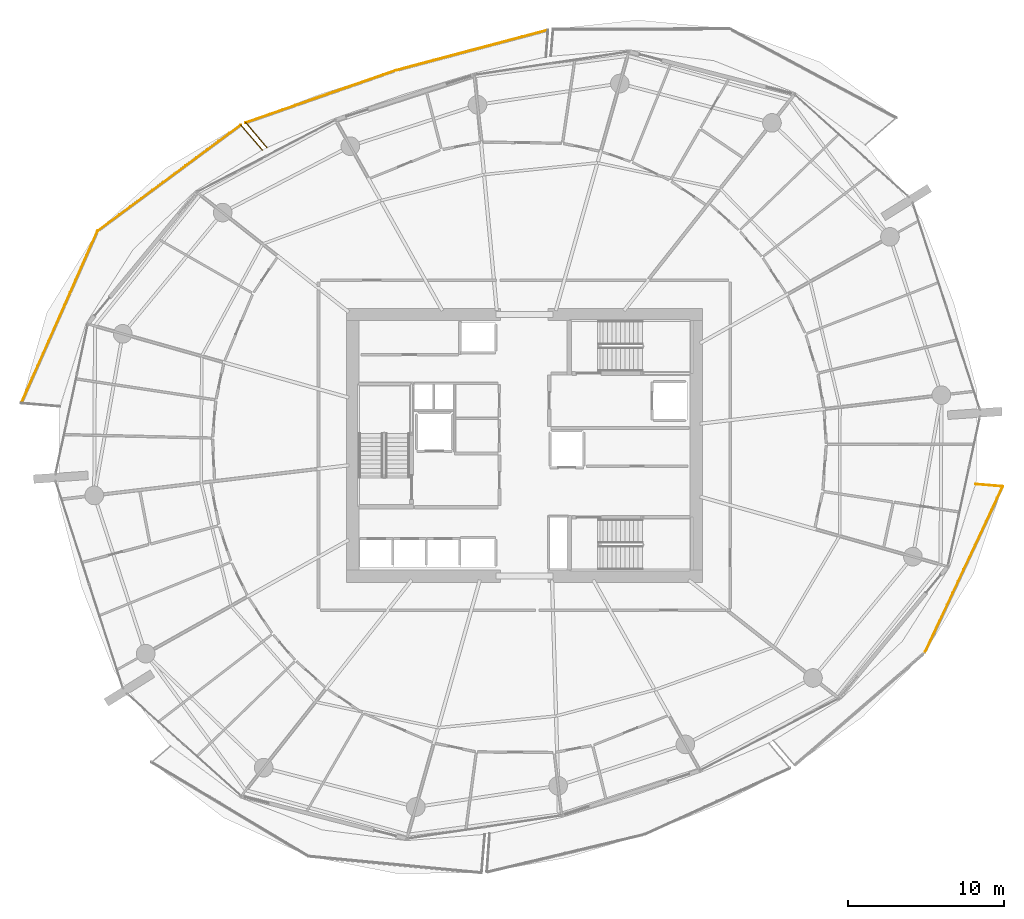
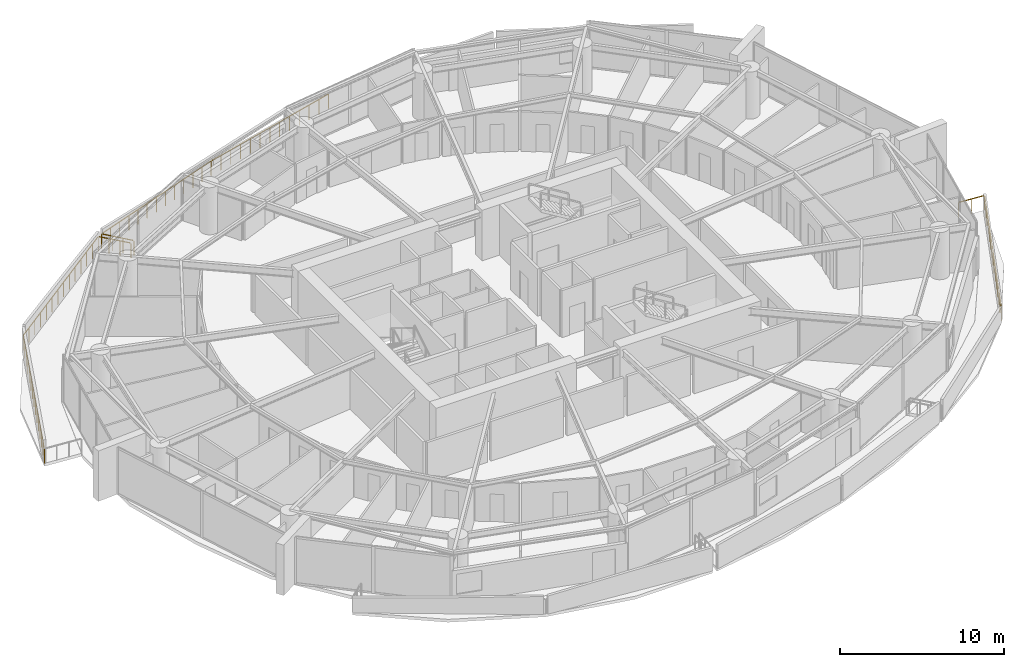
# One storey, part 21 of 23: 8 railings.
"""IFC4 building model written with IfcOpenShell, lengths in metres."""

from ifc_helpers import new_model, si_unit, direction, frame, origin, origin_2d, place, context, subcontext, project, spatial, rectangle, extrude, material, type_object, element, save


model = new_model("IFC4")

# Units and contexts
model_context = context("Model", 3, precision=1e-05, world=origin(), true_north=direction((0.0, 1.0)))
body_context = subcontext(model_context, "Body", "Model", "MODEL_VIEW")
ifc_project = project(units=[si_unit("LENGTHUNIT", "METRE"), si_unit("AREAUNIT", "SQUARE_METRE"), si_unit("VOLUMEUNIT", "CUBIC_METRE"), si_unit("PLANEANGLEUNIT", "RADIAN"), si_unit("MASSUNIT", "GRAM", prefix="KILO")], contexts=[model_context])

# Site, building, storey
site_placement = place(None, origin())
site = spatial("IfcSite", under=ifc_project, at=site_placement, CompositionType="ELEMENT")
building_placement = place(site_placement, origin())
building = spatial("IfcBuilding", under=site, at=building_placement, Name="Kazma Halo Residences", CompositionType="ELEMENT")
storey_placement = place(building_placement, frame((0.0, 0.0, 105.14990234375)))
storey = spatial("IfcBuildingStorey", under=building, at=storey_placement, Name="L26", CompositionType="ELEMENT", Elevation=105.14990234375)

# Railings
ifc_material = material(Name="Aluminium AW-6063 T6 Brushed Cap Rail", Category="aluminium")
railing_type = type_object("IfcRailingType", Name="RLG-BAL-CAP-1120", PredefinedType="BALUSTRADE", material=ifc_material)
railing_1_placement = place(storey_placement, frame((49.935302734375, 68.672119140625, 0.0)))
element("IfcRailing", 1, at=railing_1_placement, inside=storey, type_object=railing_type, Name="L26 NNW wave balcony guard 2", PredefinedType="BALUSTRADE", context=body_context, shape_type="SweptSolid", body=[
    extrude(rectangle(XDim=0.050048828125, YDim=0.050048828125, at=origin_2d()), frame((-0.041015625, -0.010986328125, 1.09521484375), z_axis=(-0.966558011146, -0.256448067042, 0.0), x_axis=(0.256448067042, -0.966558011146, 0.0)), (0.0, 0.0, 1.0), 10.012939453125),
    extrude(rectangle(XDim=0.0400390625, YDim=0.0400390625, at=origin_2d()), origin(), (0.0, 0.0, 1.0), 1.05810546875),
    extrude(rectangle(XDim=0.0400390625, YDim=0.0400390625, at=origin_2d()), frame((-0.8134765625, -0.2158203125, 0.0)), (0.0, 0.0, 1.0), 1.05810546875),
    extrude(rectangle(XDim=0.0400390625, YDim=0.0400390625, at=origin_2d()), frame((-1.626708984375, -0.431640625, 0.0)), (0.0, 0.0, 1.0), 1.05810546875),
    extrude(rectangle(XDim=0.0400390625, YDim=0.0400390625, at=origin_2d()), frame((-2.43994140625, -0.6474609375, 0.0)), (0.0, 0.0, 1.0), 1.05810546875),
    extrude(rectangle(XDim=0.0400390625, YDim=0.0400390625, at=origin_2d()), frame((-3.25341796875, -0.86328125, 0.0)), (0.0, 0.0, 1.0), 1.05810546875),
    extrude(rectangle(XDim=0.0400390625, YDim=0.0400390625, at=origin_2d()), frame((-4.06689453125, -1.0791015625, 0.0)), (0.0, 0.0, 1.0), 1.05810546875),
    extrude(rectangle(XDim=0.0400390625, YDim=0.0400390625, at=origin_2d()), frame((-4.880126953125, -1.294921875, 0.0)), (0.0, 0.0, 1.0), 1.05810546875),
    extrude(rectangle(XDim=0.0400390625, YDim=0.0400390625, at=origin_2d()), frame((-5.693359375, -1.510498046875, 0.0)), (0.0, 0.0, 1.0), 1.05810546875),
    extrude(rectangle(XDim=0.0400390625, YDim=0.0400390625, at=origin_2d()), frame((-6.5068359375, -1.726318359375, 0.0)), (0.0, 0.0, 1.0), 1.05810546875),
    extrude(rectangle(XDim=0.0400390625, YDim=0.0400390625, at=origin_2d()), frame((-7.3203125, -1.942138671875, 0.0)), (0.0, 0.0, 1.0), 1.05810546875),
    extrude(rectangle(XDim=0.0400390625, YDim=0.0400390625, at=origin_2d()), frame((-8.133544921875, -2.157958984375, 0.0)), (0.0, 0.0, 1.0), 1.05810546875),
    extrude(rectangle(XDim=0.0400390625, YDim=0.0400390625, at=origin_2d()), frame((-8.94677734375, -2.373779296875, 0.0)), (0.0, 0.0, 1.0), 1.05810546875),
    extrude(rectangle(XDim=0.0400390625, YDim=0.0400390625, at=origin_2d()), frame((-9.76025390625, -2.589599609375, 0.0)), (0.0, 0.0, 1.0), 1.05810546875),
])
railing_2_placement = place(storey_placement, frame((40.175048828125, 66.08251953125, 0.0)))
element("IfcRailing", 2, at=railing_2_placement, inside=storey, type_object=railing_type, Name="L26 NNW wave balcony guard 3", PredefinedType="BALUSTRADE", context=body_context, shape_type="SweptSolid", body=[
    extrude(rectangle(XDim=0.050048828125, YDim=0.050048828125, at=origin_2d()), frame((-0.040283203125, -0.013916015625, 1.09521484375), z_axis=(-0.944333970346, -0.328988377378, 0.0), x_axis=(0.328988377378, -0.944333970346, 0.0)), (0.0, 0.0, 1.0), 10.13720703125),
    extrude(rectangle(XDim=0.0400390625, YDim=0.0400390625, at=origin_2d()), origin(), (0.0, 0.0, 1.0), 1.05810546875),
    extrude(rectangle(XDim=0.0400390625, YDim=0.0400390625, at=origin_2d()), frame((-0.804443359375, -0.2802734375, 0.0)), (0.0, 0.0, 1.0), 1.05810546875),
    extrude(rectangle(XDim=0.0400390625, YDim=0.0400390625, at=origin_2d()), frame((-1.60888671875, -0.560546875, 0.0)), (0.0, 0.0, 1.0), 1.05810546875),
    extrude(rectangle(XDim=0.0400390625, YDim=0.0400390625, at=origin_2d()), frame((-2.413330078125, -0.8408203125, 0.0)), (0.0, 0.0, 1.0), 1.05810546875),
    extrude(rectangle(XDim=0.0400390625, YDim=0.0400390625, at=origin_2d()), frame((-3.2177734375, -1.12109375, 0.0)), (0.0, 0.0, 1.0), 1.05810546875),
    extrude(rectangle(XDim=0.0400390625, YDim=0.0400390625, at=origin_2d()), frame((-4.022216796875, -1.4013671875, 0.0)), (0.0, 0.0, 1.0), 1.05810546875),
    extrude(rectangle(XDim=0.0400390625, YDim=0.0400390625, at=origin_2d()), frame((-4.82666015625, -1.681640625, 0.0)), (0.0, 0.0, 1.0), 1.05810546875),
    extrude(rectangle(XDim=0.0400390625, YDim=0.0400390625, at=origin_2d()), frame((-5.631103515625, -1.961669921875, 0.0)), (0.0, 0.0, 1.0), 1.05810546875),
    extrude(rectangle(XDim=0.0400390625, YDim=0.0400390625, at=origin_2d()), frame((-6.435546875, -2.241943359375, 0.0)), (0.0, 0.0, 1.0), 1.05810546875),
    extrude(rectangle(XDim=0.0400390625, YDim=0.0400390625, at=origin_2d()), frame((-7.239990234375, -2.522216796875, 0.0)), (0.0, 0.0, 1.0), 1.05810546875),
    extrude(rectangle(XDim=0.0400390625, YDim=0.0400390625, at=origin_2d()), frame((-8.04443359375, -2.802490234375, 0.0)), (0.0, 0.0, 1.0), 1.05810546875),
    extrude(rectangle(XDim=0.0400390625, YDim=0.0400390625, at=origin_2d()), frame((-8.848876953125, -3.082763671875, 0.0)), (0.0, 0.0, 1.0), 1.05810546875),
    extrude(rectangle(XDim=0.0400390625, YDim=0.0400390625, at=origin_2d()), frame((-9.6533203125, -3.363037109375, 0.0)), (0.0, 0.0, 1.0), 1.05810546875),
])
railing_3_placement = place(storey_placement, frame((30.521728515625, 62.719482421875, 0.0)))
element("IfcRailing", 3, at=railing_3_placement, inside=storey, type_object=railing_type, Name="L26 NNW wave balcony guard 4", PredefinedType="BALUSTRADE", context=body_context, shape_type="SweptSolid", body=[
    extrude(rectangle(XDim=0.050048828125, YDim=0.050048828125, at=origin_2d()), frame((0.02734375, -0.032470703125, 1.09521484375), z_axis=(0.644745452051, -0.764397345665, 0.0), x_axis=(0.764397345665, 0.644745452051, 0.0)), (0.0, 0.0, 1.0), 2.010498046875),
    extrude(rectangle(XDim=0.0400390625, YDim=0.0400390625, at=origin_2d()), origin(), (0.0, 0.0, 1.0), 1.05810546875),
    extrude(rectangle(XDim=0.0400390625, YDim=0.0400390625, at=origin_2d()), frame((0.450439453125, -0.533935546875, 0.0)), (0.0, 0.0, 1.0), 1.05810546875),
    extrude(rectangle(XDim=0.0400390625, YDim=0.0400390625, at=origin_2d()), frame((0.900634765625, -1.06787109375, 0.0)), (0.0, 0.0, 1.0), 1.05810546875),
    extrude(rectangle(XDim=0.0400390625, YDim=0.0400390625, at=origin_2d()), frame((1.35107421875, -1.601806640625, 0.0)), (0.0, 0.0, 1.0), 1.05810546875),
])
railing_4_placement = place(storey_placement, frame((31.59423828125, 60.972900390625, 0.0)))
element("IfcRailing", 4, at=railing_4_placement, inside=storey, type_object=railing_type, Name="L26 NW wave balcony guard 1", PredefinedType="BALUSTRADE", context=body_context, shape_type="SweptSolid", body=[
    extrude(rectangle(XDim=0.050048828125, YDim=0.050048828125, at=origin_2d()), frame((-0.02783203125, 0.0322265625, 1.09521484375), z_axis=(-0.65410562063, 0.756403223856, 0.0), x_axis=(-0.756403223856, -0.65410562063, 0.0)), (0.0, 0.0, 1.0), 2.0341796875),
    extrude(rectangle(XDim=0.0400390625, YDim=0.0400390625, at=origin_2d()), origin(), (0.0, 0.0, 1.0), 1.05810546875),
    extrude(rectangle(XDim=0.0400390625, YDim=0.0400390625, at=origin_2d()), frame((-0.462158203125, 0.534423828125, 0.0)), (0.0, 0.0, 1.0), 1.05810546875),
    extrude(rectangle(XDim=0.0400390625, YDim=0.0400390625, at=origin_2d()), frame((-0.924072265625, 1.068603515625, 0.0)), (0.0, 0.0, 1.0), 1.05810546875),
    extrude(rectangle(XDim=0.0400390625, YDim=0.0400390625, at=origin_2d()), frame((-1.38623046875, 1.60302734375, 0.0)), (0.0, 0.0, 1.0), 1.05810546875),
])
railing_5_placement = place(storey_placement, frame((30.2080078125, 62.575927734375, 0.0)))
element("IfcRailing", 5, at=railing_5_placement, inside=storey, type_object=railing_type, Name="L26 NW wave balcony guard 2", PredefinedType="BALUSTRADE", context=body_context, shape_type="SweptSolid", body=[
    extrude(rectangle(XDim=0.050048828125, YDim=0.050048828125, at=origin_2d()), frame((-0.0341796875, -0.025390625, 1.09521484375), z_axis=(-0.803654189265, -0.595096583822, 0.0), x_axis=(0.595096583822, -0.803654189265, 0.0)), (0.0, 0.0, 1.0), 11.372802734375),
    extrude(rectangle(XDim=0.0400390625, YDim=0.0400390625, at=origin_2d()), origin(), (0.0, 0.0, 1.0), 1.05810546875),
    extrude(rectangle(XDim=0.0400390625, YDim=0.0400390625, at=origin_2d()), frame((-0.708251953125, -0.5244140625, 0.0)), (0.0, 0.0, 1.0), 1.05810546875),
    extrude(rectangle(XDim=0.0400390625, YDim=0.0400390625, at=origin_2d()), frame((-1.416748046875, -1.049072265625, 0.0)), (0.0, 0.0, 1.0), 1.05810546875),
    extrude(rectangle(XDim=0.0400390625, YDim=0.0400390625, at=origin_2d()), frame((-2.125, -1.573486328125, 0.0)), (0.0, 0.0, 1.0), 1.05810546875),
    extrude(rectangle(XDim=0.0400390625, YDim=0.0400390625, at=origin_2d()), frame((-2.833251953125, -2.09814453125, 0.0)), (0.0, 0.0, 1.0), 1.05810546875),
    extrude(rectangle(XDim=0.0400390625, YDim=0.0400390625, at=origin_2d()), frame((-3.541748046875, -2.62255859375, 0.0)), (0.0, 0.0, 1.0), 1.05810546875),
    extrude(rectangle(XDim=0.0400390625, YDim=0.0400390625, at=origin_2d()), frame((-4.25, -3.14697265625, 0.0)), (0.0, 0.0, 1.0), 1.05810546875),
    extrude(rectangle(XDim=0.0400390625, YDim=0.0400390625, at=origin_2d()), frame((-4.958251953125, -3.671630859375, 0.0)), (0.0, 0.0, 1.0), 1.05810546875),
    extrude(rectangle(XDim=0.0400390625, YDim=0.0400390625, at=origin_2d()), frame((-5.66650390625, -4.196044921875, 0.0)), (0.0, 0.0, 1.0), 1.05810546875),
    extrude(rectangle(XDim=0.0400390625, YDim=0.0400390625, at=origin_2d()), frame((-6.375, -4.720458984375, 0.0)), (0.0, 0.0, 1.0), 1.05810546875),
    extrude(rectangle(XDim=0.0400390625, YDim=0.0400390625, at=origin_2d()), frame((-7.083251953125, -5.2451171875, 0.0)), (0.0, 0.0, 1.0), 1.05810546875),
    extrude(rectangle(XDim=0.0400390625, YDim=0.0400390625, at=origin_2d()), frame((-7.79150390625, -5.76953125, 0.0)), (0.0, 0.0, 1.0), 1.05810546875),
    extrude(rectangle(XDim=0.0400390625, YDim=0.0400390625, at=origin_2d()), frame((-8.5, -6.294189453125, 0.0)), (0.0, 0.0, 1.0), 1.05810546875),
    extrude(rectangle(XDim=0.0400390625, YDim=0.0400390625, at=origin_2d()), frame((-9.208251953125, -6.818603515625, 0.0)), (0.0, 0.0, 1.0), 1.05810546875),
])
railing_6_placement = place(storey_placement, frame((20.999755859375, 55.75732421875, 0.0)))
element("IfcRailing", 6, at=railing_6_placement, inside=storey, type_object=railing_type, Name="L26 NW wave balcony guard 3", PredefinedType="BALUSTRADE", context=body_context, shape_type="SweptSolid", body=[
    extrude(rectangle(XDim=0.050048828125, YDim=0.050048828125, at=origin_2d()), frame((-0.017333984375, -0.038818359375, 1.09521484375), z_axis=(-0.404784771559, -0.914411990688, 0.0), x_axis=(0.914411990688, -0.404784771559, 0.0)), (0.0, 0.0, 1.0), 12.00048828125),
    extrude(rectangle(XDim=0.0400390625, YDim=0.0400390625, at=origin_2d()), origin(), (0.0, 0.0, 1.0), 1.05810546875),
    extrude(rectangle(XDim=0.0400390625, YDim=0.0400390625, at=origin_2d()), frame((-0.349365234375, -0.789306640625, 0.0)), (0.0, 0.0, 1.0), 1.05810546875),
    extrude(rectangle(XDim=0.0400390625, YDim=0.0400390625, at=origin_2d()), frame((-0.698974609375, -1.578857421875, 0.0)), (0.0, 0.0, 1.0), 1.05810546875),
    extrude(rectangle(XDim=0.0400390625, YDim=0.0400390625, at=origin_2d()), frame((-1.04833984375, -2.3681640625, 0.0)), (0.0, 0.0, 1.0), 1.05810546875),
    extrude(rectangle(XDim=0.0400390625, YDim=0.0400390625, at=origin_2d()), frame((-1.397705078125, -3.157470703125, 0.0)), (0.0, 0.0, 1.0), 1.05810546875),
    extrude(rectangle(XDim=0.0400390625, YDim=0.0400390625, at=origin_2d()), frame((-1.7470703125, -3.94677734375, 0.0)), (0.0, 0.0, 1.0), 1.05810546875),
    extrude(rectangle(XDim=0.0400390625, YDim=0.0400390625, at=origin_2d()), frame((-2.0966796875, -4.736328125, 0.0)), (0.0, 0.0, 1.0), 1.05810546875),
    extrude(rectangle(XDim=0.0400390625, YDim=0.0400390625, at=origin_2d()), frame((-2.446044921875, -5.525634765625, 0.0)), (0.0, 0.0, 1.0), 1.05810546875),
    extrude(rectangle(XDim=0.0400390625, YDim=0.0400390625, at=origin_2d()), frame((-2.79541015625, -6.31494140625, 0.0)), (0.0, 0.0, 1.0), 1.05810546875),
    extrude(rectangle(XDim=0.0400390625, YDim=0.0400390625, at=origin_2d()), frame((-3.14501953125, -7.1044921875, 0.0)), (0.0, 0.0, 1.0), 1.05810546875),
    extrude(rectangle(XDim=0.0400390625, YDim=0.0400390625, at=origin_2d()), frame((-3.494384765625, -7.893798828125, 0.0)), (0.0, 0.0, 1.0), 1.05810546875),
    extrude(rectangle(XDim=0.0400390625, YDim=0.0400390625, at=origin_2d()), frame((-3.84375, -8.68310546875, 0.0)), (0.0, 0.0, 1.0), 1.05810546875),
    extrude(rectangle(XDim=0.0400390625, YDim=0.0400390625, at=origin_2d()), frame((-4.193115234375, -9.472412109375, 0.0)), (0.0, 0.0, 1.0), 1.05810546875),
    extrude(rectangle(XDim=0.0400390625, YDim=0.0400390625, at=origin_2d()), frame((-4.542724609375, -10.261962890625, 0.0)), (0.0, 0.0, 1.0), 1.05810546875),
    extrude(rectangle(XDim=0.0400390625, YDim=0.0400390625, at=origin_2d()), frame((-4.89208984375, -11.05126953125, 0.0)), (0.0, 0.0, 1.0), 1.05810546875),
])
railing_7_placement = place(storey_placement, frame((74.144287109375, 28.678955078125, 0.0)))
element("IfcRailing", 7, at=railing_7_placement, inside=storey, type_object=railing_type, Name="L26 SE wave balcony guard 3", PredefinedType="BALUSTRADE", context=body_context, shape_type="SweptSolid", body=[
    extrude(rectangle(XDim=0.050048828125, YDim=0.050048828125, at=origin_2d()), frame((0.01806640625, 0.03857421875, 1.09521484375), z_axis=(0.424193033008, 0.905571792156, 0.0), x_axis=(-0.905571792156, 0.424193033008, 0.0)), (0.0, 0.0, 1.0), 11.70654296875),
    extrude(rectangle(XDim=0.0400390625, YDim=0.0400390625, at=origin_2d()), origin(), (0.0, 0.0, 1.0), 1.05810546875),
    extrude(rectangle(XDim=0.0400390625, YDim=0.0400390625, at=origin_2d()), frame((0.357177734375, 0.7626953125, 0.0)), (0.0, 0.0, 1.0), 1.05810546875),
    extrude(rectangle(XDim=0.0400390625, YDim=0.0400390625, at=origin_2d()), frame((0.714599609375, 1.525390625, 0.0)), (0.0, 0.0, 1.0), 1.05810546875),
    extrude(rectangle(XDim=0.0400390625, YDim=0.0400390625, at=origin_2d()), frame((1.07177734375, 2.2880859375, 0.0)), (0.0, 0.0, 1.0), 1.05810546875),
    extrude(rectangle(XDim=0.0400390625, YDim=0.0400390625, at=origin_2d()), frame((1.42919921875, 3.051025390625, 0.0)), (0.0, 0.0, 1.0), 1.05810546875),
    extrude(rectangle(XDim=0.0400390625, YDim=0.0400390625, at=origin_2d()), frame((1.786376953125, 3.813720703125, 0.0)), (0.0, 0.0, 1.0), 1.05810546875),
    extrude(rectangle(XDim=0.0400390625, YDim=0.0400390625, at=origin_2d()), frame((2.143798828125, 4.576416015625, 0.0)), (0.0, 0.0, 1.0), 1.05810546875),
    extrude(rectangle(XDim=0.0400390625, YDim=0.0400390625, at=origin_2d()), frame((2.5009765625, 5.339111328125, 0.0)), (0.0, 0.0, 1.0), 1.05810546875),
    extrude(rectangle(XDim=0.0400390625, YDim=0.0400390625, at=origin_2d()), frame((2.858154296875, 6.101806640625, 0.0)), (0.0, 0.0, 1.0), 1.05810546875),
    extrude(rectangle(XDim=0.0400390625, YDim=0.0400390625, at=origin_2d()), frame((3.215576171875, 6.864501953125, 0.0)), (0.0, 0.0, 1.0), 1.05810546875),
    extrude(rectangle(XDim=0.0400390625, YDim=0.0400390625, at=origin_2d()), frame((3.57275390625, 7.627197265625, 0.0)), (0.0, 0.0, 1.0), 1.05810546875),
    extrude(rectangle(XDim=0.0400390625, YDim=0.0400390625, at=origin_2d()), frame((3.93017578125, 8.39013671875, 0.0)), (0.0, 0.0, 1.0), 1.05810546875),
    extrude(rectangle(XDim=0.0400390625, YDim=0.0400390625, at=origin_2d()), frame((4.287353515625, 9.15283203125, 0.0)), (0.0, 0.0, 1.0), 1.05810546875),
    extrude(rectangle(XDim=0.0400390625, YDim=0.0400390625, at=origin_2d()), frame((4.644775390625, 9.91552734375, 0.0)), (0.0, 0.0, 1.0), 1.05810546875),
    extrude(rectangle(XDim=0.0400390625, YDim=0.0400390625, at=origin_2d()), frame((5.001953125, 10.67822265625, 0.0)), (0.0, 0.0, 1.0), 1.05810546875),
])
railing_8_placement = place(storey_placement, frame((79.146240234375, 39.357177734375, 0.0)))
element("IfcRailing", 8, at=railing_8_placement, inside=storey, type_object=railing_type, Name="L26 SE wave balcony guard 4", PredefinedType="BALUSTRADE", context=body_context, shape_type="SweptSolid", body=[
    extrude(rectangle(XDim=0.050048828125, YDim=0.050048828125, at=origin_2d()), frame((-0.04248046875, 0.003662109375, 1.09521484375), z_axis=(-0.996414330449, 0.084607813322, 0.0), x_axis=(-0.084607813322, -0.996414330449, 0.0)), (0.0, 0.0, 1.0), 1.66064453125),
    extrude(rectangle(XDim=0.0400390625, YDim=0.0400390625, at=origin_2d()), origin(), (0.0, 0.0, 1.0), 1.05810546875),
    extrude(rectangle(XDim=0.0400390625, YDim=0.0400390625, at=origin_2d()), frame((-0.86962890625, 0.07373046875, 0.0)), (0.0, 0.0, 1.0), 1.05810546875),
    extrude(rectangle(XDim=0.0400390625, YDim=0.0400390625, at=origin_2d()), frame((-1.739501953125, 0.147705078125, 0.0)), (0.0, 0.0, 1.0), 1.05810546875),
])

save(model, "model.ifc")
